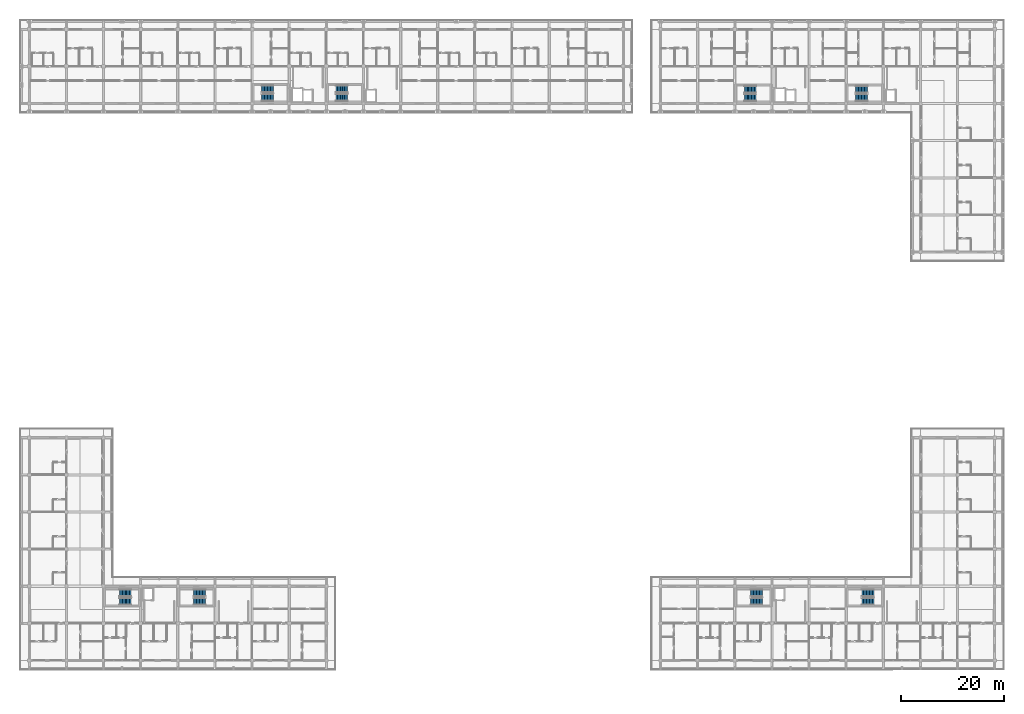
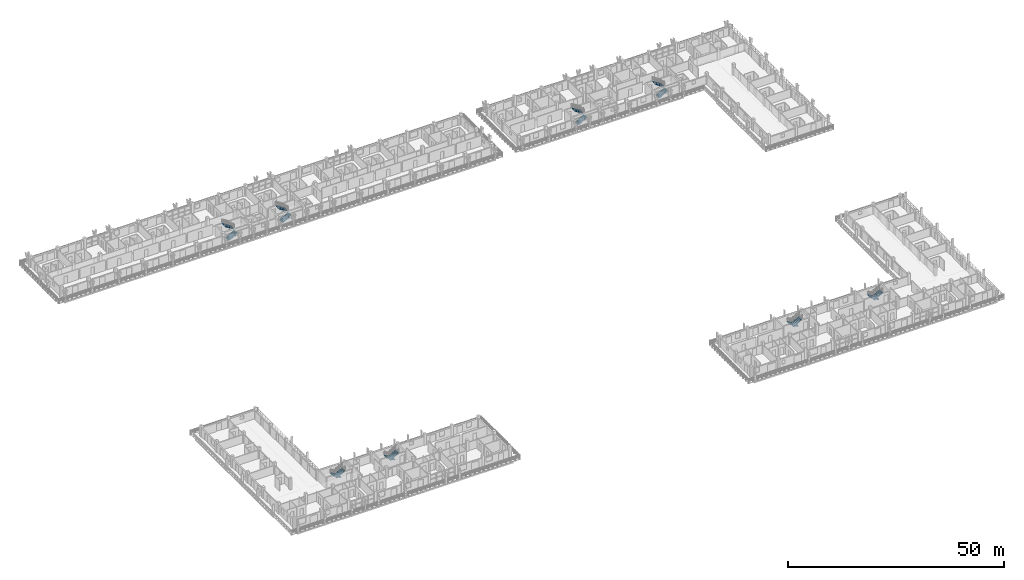
# One storey, part 61 of 76: 16 stair flights, 8 elements without a shape of their own.
"""IFC4 building model written with IfcOpenShell, lengths in metres."""

from ifc_helpers import new_model, si_unit, direction, frame, origin, place, context, subcontext, project, spatial, polyline, outline, extrude, material, type_object, element, aggregate, save


model = new_model("IFC4")

# Units and contexts
model_context = context("Model", 3, precision=1e-05, world=origin(), true_north=direction((0.0, 1.0)))
body_context = subcontext(model_context, "Body", "Model", "MODEL_VIEW")
ifc_project = project(units=[si_unit("LENGTHUNIT", "METRE"), si_unit("AREAUNIT", "SQUARE_METRE"), si_unit("VOLUMEUNIT", "CUBIC_METRE"), si_unit("PLANEANGLEUNIT", "RADIAN"), si_unit("MASSUNIT", "GRAM", prefix="KILO")], contexts=[model_context])

# Site, building, storey
site_placement = place(None, origin())
site = spatial("IfcSite", under=ifc_project, at=site_placement, CompositionType="ELEMENT")
building_placement = place(site_placement, origin())
building = spatial("IfcBuilding", under=site, at=building_placement, Name="Suanplinth Sawtooth Commons", CompositionType="ELEMENT")
storey_placement = place(building_placement, frame((0.0, 0.0, 12.199951171875)))
storey = spatial("IfcBuildingStorey", under=building, at=storey_placement, Name="L03", CompositionType="ELEMENT", Elevation=12.199951171875)

# Stair, stair flights
ifc_material = material(Name="Concrete C40/50", Category="concrete")
stair_type_1 = type_object("IfcStairType", Name="ST-03", PredefinedType="USERDEFINED", material=ifc_material)
stair_1_placement = place(storey_placement, origin())
stair_1 = element("IfcStair", 1, at=stair_1_placement, inside=storey, type_object=stair_type_1, Name="L03 Exit Stair ST-N1", ObjectType="TWO_RETURN_STAIR", PredefinedType="USERDEFINED")
stair_flight_type_1 = type_object("IfcStairFlightType", Name="SF-04", PredefinedType="STRAIGHT", material=ifc_material)
stair_flight_1_placement = place(storey_placement, frame((45.050048828125, 109.175048828125, 0.0), z_axis=(0.0, 0.0, 1.0), x_axis=(1.0, 0.0, 0.0)))
stair_flight_1 = element("IfcStairFlight", 2, at=stair_flight_1_placement, type_object=stair_flight_type_1, Name="ST-03 flight 1", NumberOfRisers=9, NumberOfTreads=8, PredefinedType="STRAIGHT", RiserHeight=0.177777778, TreadLength=0.285, context=body_context, shape_type="SweptSolid", body=[
    extrude(outline(polyline([(0.0, 0.0), (0.0, 0.177734375), (0.284912109375, 0.177734375), (0.284912109375, 0.35546875), (0.570068359375, 0.35546875), (0.570068359375, 0.533447265625), (0.85498046875, 0.533447265625), (0.85498046875, 0.711181640625), (1.139892578125, 0.711181640625), (1.139892578125, 0.888916015625), (1.425048828125, 0.888916015625), (1.425048828125, 1.066650390625), (1.7099609375, 1.066650390625), (1.7099609375, 1.244384765625), (1.9951171875, 1.244384765625), (1.9951171875, 1.422119140625), (2.280029296875, 1.422119140625), (2.280029296875, 1.60009765625), (2.280029296875, 1.233642578125), (0.30224609375, 0.0), (0.0, 0.0)])), frame((0.0, 0.72509765625, 0.0), z_axis=(0.0, -1.0, 0.0), x_axis=(1.0, 0.0, 0.0)), (0.0, 0.0, 1.0), 1.449951171875),
])
stair_flight_2_placement = place(storey_placement, frame((47.330078125, 110.824951171875, 1.60009765625), z_axis=(0.0, 0.0, 1.0), x_axis=(-1.0, 0.0, 0.0)))
stair_flight_2 = element("IfcStairFlight", 3, at=stair_flight_2_placement, type_object=stair_flight_type_1, Name="ST-03 flight 2", NumberOfRisers=9, NumberOfTreads=8, PredefinedType="STRAIGHT", RiserHeight=0.177777778, TreadLength=0.285, context=body_context, shape_type="SweptSolid", body=[
    extrude(outline(polyline([(0.0, 0.0), (0.0, 0.177734375), (0.284912109375, 0.177734375), (0.284912109375, 0.35546875), (0.570068359375, 0.35546875), (0.570068359375, 0.533447265625), (0.85498046875, 0.533447265625), (0.85498046875, 0.711181640625), (1.139892578125, 0.711181640625), (1.139892578125, 0.888916015625), (1.425048828125, 0.888916015625), (1.425048828125, 1.066650390625), (1.7099609375, 1.066650390625), (1.7099609375, 1.244384765625), (1.9951171875, 1.244384765625), (1.9951171875, 1.422119140625), (2.280029296875, 1.422119140625), (2.280029296875, 1.60009765625), (2.280029296875, 1.233642578125), (0.30224609375, 0.0), (0.0, 0.0)])), frame((0.0, 0.72509765625, 0.0), z_axis=(0.0, -1.0, 0.0), x_axis=(1.0, 0.0, 0.0)), (0.0, 0.0, 1.0), 1.449951171875),
])
aggregate(stair_1, [stair_flight_1, stair_flight_2])

stair_2_placement = place(storey_placement, origin())
stair_2 = element("IfcStair", 4, at=stair_2_placement, inside=storey, type_object=stair_type_1, Name="L03 Exit Stair ST-N2", ObjectType="TWO_RETURN_STAIR", PredefinedType="USERDEFINED")
stair_flight_3_placement = place(storey_placement, frame((59.449951171875, 109.175048828125, 0.0), z_axis=(0.0, 0.0, 1.0), x_axis=(1.0, 0.0, 0.0)))
stair_flight_3 = element("IfcStairFlight", 5, at=stair_flight_3_placement, type_object=stair_flight_type_1, Name="ST-03 flight 1", NumberOfRisers=9, NumberOfTreads=8, PredefinedType="STRAIGHT", RiserHeight=0.177777778, TreadLength=0.285, context=body_context, shape_type="SweptSolid", body=[
    extrude(outline(polyline([(0.0, 0.0), (0.0, 0.177734375), (0.284912109375, 0.177734375), (0.284912109375, 0.35546875), (0.570068359375, 0.35546875), (0.570068359375, 0.533447265625), (0.85498046875, 0.533447265625), (0.85498046875, 0.711181640625), (1.139892578125, 0.711181640625), (1.139892578125, 0.888916015625), (1.425048828125, 0.888916015625), (1.425048828125, 1.066650390625), (1.7099609375, 1.066650390625), (1.7099609375, 1.244384765625), (1.9951171875, 1.244384765625), (1.9951171875, 1.422119140625), (2.280029296875, 1.422119140625), (2.280029296875, 1.60009765625), (2.280029296875, 1.233642578125), (0.30224609375, 0.0), (0.0, 0.0)])), frame((0.0, 0.72509765625, 0.0), z_axis=(0.0, -1.0, 0.0), x_axis=(1.0, 0.0, 0.0)), (0.0, 0.0, 1.0), 1.449951171875),
])
stair_flight_4_placement = place(storey_placement, frame((61.72998046875, 110.824951171875, 1.60009765625), z_axis=(0.0, 0.0, 1.0), x_axis=(-1.0, 0.0, 0.0)))
stair_flight_4 = element("IfcStairFlight", 6, at=stair_flight_4_placement, type_object=stair_flight_type_1, Name="ST-03 flight 2", NumberOfRisers=9, NumberOfTreads=8, PredefinedType="STRAIGHT", RiserHeight=0.177777778, TreadLength=0.285, context=body_context, shape_type="SweptSolid", body=[
    extrude(outline(polyline([(0.0, 0.0), (0.0, 0.177734375), (0.284912109375, 0.177734375), (0.284912109375, 0.35546875), (0.570068359375, 0.35546875), (0.570068359375, 0.533447265625), (0.85498046875, 0.533447265625), (0.85498046875, 0.711181640625), (1.139892578125, 0.711181640625), (1.139892578125, 0.888916015625), (1.425048828125, 0.888916015625), (1.425048828125, 1.066650390625), (1.7099609375, 1.066650390625), (1.7099609375, 1.244384765625), (1.9951171875, 1.244384765625), (1.9951171875, 1.422119140625), (2.280029296875, 1.422119140625), (2.280029296875, 1.60009765625), (2.280029296875, 1.233642578125), (0.30224609375, 0.0), (0.0, 0.0)])), frame((0.0, 0.72509765625, 0.0), z_axis=(0.0, -1.0, 0.0), x_axis=(1.0, 0.0, 0.0)), (0.0, 0.0, 1.0), 1.449951171875),
])
aggregate(stair_2, [stair_flight_3, stair_flight_4])

stair_type_2 = type_object("IfcStairType", Name="ST-07", PredefinedType="USERDEFINED", material=ifc_material)
stair_3_placement = place(storey_placement, origin())
stair_3 = element("IfcStair", 7, at=stair_3_placement, inside=storey, type_object=stair_type_2, Name="L03 Exit Stair ST-E1", ObjectType="TWO_RETURN_STAIR", PredefinedType="USERDEFINED")
stair_flight_type_2 = type_object("IfcStairFlightType", Name="SF-08", PredefinedType="STRAIGHT", material=ifc_material)
stair_flight_5_placement = place(storey_placement, frame((138.64990234375, 109.14990234375, 0.0), z_axis=(0.0, 0.0, 1.0), x_axis=(1.0, 0.0, 0.0)))
stair_flight_5 = element("IfcStairFlight", 8, at=stair_flight_5_placement, type_object=stair_flight_type_2, Name="ST-07 flight 1", NumberOfRisers=9, NumberOfTreads=8, PredefinedType="STRAIGHT", RiserHeight=0.177777778, TreadLength=0.285, context=body_context, shape_type="SweptSolid", body=[
    extrude(outline(polyline([(0.0, 0.0), (0.0, 0.177734375), (0.284912109375, 0.177734375), (0.284912109375, 0.35546875), (0.570068359375, 0.35546875), (0.570068359375, 0.533447265625), (0.85498046875, 0.533447265625), (0.85498046875, 0.711181640625), (1.139892578125, 0.711181640625), (1.139892578125, 0.888916015625), (1.425048828125, 0.888916015625), (1.425048828125, 1.066650390625), (1.7099609375, 1.066650390625), (1.7099609375, 1.244384765625), (1.9951171875, 1.244384765625), (1.9951171875, 1.422119140625), (2.280029296875, 1.422119140625), (2.280029296875, 1.60009765625), (2.280029296875, 1.233642578125), (0.30224609375, 0.0), (0.0, 0.0)])), frame((0.0, 0.699951171875, 0.0), z_axis=(0.0, -1.0, 0.0), x_axis=(1.0, 0.0, 0.0)), (0.0, 0.0, 1.0), 1.39990234375),
])
stair_flight_6_placement = place(storey_placement, frame((140.929931640625, 110.75, 1.60009765625), z_axis=(0.0, 0.0, 1.0), x_axis=(-1.0, 0.0, 0.0)))
stair_flight_6 = element("IfcStairFlight", 9, at=stair_flight_6_placement, type_object=stair_flight_type_2, Name="ST-07 flight 2", NumberOfRisers=9, NumberOfTreads=8, PredefinedType="STRAIGHT", RiserHeight=0.177777778, TreadLength=0.285, context=body_context, shape_type="SweptSolid", body=[
    extrude(outline(polyline([(0.0, 0.0), (0.0, 0.177734375), (0.284912109375, 0.177734375), (0.284912109375, 0.35546875), (0.570068359375, 0.35546875), (0.570068359375, 0.533447265625), (0.85498046875, 0.533447265625), (0.85498046875, 0.711181640625), (1.139892578125, 0.711181640625), (1.139892578125, 0.888916015625), (1.425048828125, 0.888916015625), (1.425048828125, 1.066650390625), (1.7099609375, 1.066650390625), (1.7099609375, 1.244384765625), (1.9951171875, 1.244384765625), (1.9951171875, 1.422119140625), (2.280029296875, 1.422119140625), (2.280029296875, 1.60009765625), (2.280029296875, 1.233642578125), (0.30224609375, 0.0), (0.0, 0.0)])), frame((0.0, 0.699951171875, 0.0), z_axis=(0.0, -1.0, 0.0), x_axis=(1.0, 0.0, 0.0)), (0.0, 0.0, 1.0), 1.39990234375),
])
aggregate(stair_3, [stair_flight_5, stair_flight_6])

stair_4_placement = place(storey_placement, origin())
stair_4 = element("IfcStair", 10, at=stair_4_placement, inside=storey, type_object=stair_type_2, Name="L03 Exit Stair ST-E2", ObjectType="TWO_RETURN_STAIR", PredefinedType="USERDEFINED")
stair_flight_7_placement = place(storey_placement, frame((160.25, 109.14990234375, 0.0), z_axis=(0.0, 0.0, 1.0), x_axis=(1.0, 0.0, 0.0)))
stair_flight_7 = element("IfcStairFlight", 11, at=stair_flight_7_placement, type_object=stair_flight_type_2, Name="ST-07 flight 1", NumberOfRisers=9, NumberOfTreads=8, PredefinedType="STRAIGHT", RiserHeight=0.177777778, TreadLength=0.285, context=body_context, shape_type="SweptSolid", body=[
    extrude(outline(polyline([(0.0, 0.0), (0.0, 0.177734375), (0.284912109375, 0.177734375), (0.284912109375, 0.35546875), (0.570068359375, 0.35546875), (0.570068359375, 0.533447265625), (0.85498046875, 0.533447265625), (0.85498046875, 0.711181640625), (1.139892578125, 0.711181640625), (1.139892578125, 0.888916015625), (1.425048828125, 0.888916015625), (1.425048828125, 1.066650390625), (1.7099609375, 1.066650390625), (1.7099609375, 1.244384765625), (1.9951171875, 1.244384765625), (1.9951171875, 1.422119140625), (2.280029296875, 1.422119140625), (2.280029296875, 1.60009765625), (2.280029296875, 1.233642578125), (0.30224609375, 0.0), (0.0, 0.0)])), frame((0.0, 0.699951171875, 0.0), z_axis=(0.0, -1.0, 0.0), x_axis=(1.0, 0.0, 0.0)), (0.0, 0.0, 1.0), 1.39990234375),
])
stair_flight_8_placement = place(storey_placement, frame((162.530029296875, 110.75, 1.60009765625), z_axis=(0.0, 0.0, 1.0), x_axis=(-1.0, 0.0, 0.0)))
stair_flight_8 = element("IfcStairFlight", 12, at=stair_flight_8_placement, type_object=stair_flight_type_2, Name="ST-07 flight 2", NumberOfRisers=9, NumberOfTreads=8, PredefinedType="STRAIGHT", RiserHeight=0.177777778, TreadLength=0.285, context=body_context, shape_type="SweptSolid", body=[
    extrude(outline(polyline([(0.0, 0.0), (0.0, 0.177734375), (0.284912109375, 0.177734375), (0.284912109375, 0.35546875), (0.570068359375, 0.35546875), (0.570068359375, 0.533447265625), (0.85498046875, 0.533447265625), (0.85498046875, 0.711181640625), (1.139892578125, 0.711181640625), (1.139892578125, 0.888916015625), (1.425048828125, 0.888916015625), (1.425048828125, 1.066650390625), (1.7099609375, 1.066650390625), (1.7099609375, 1.244384765625), (1.9951171875, 1.244384765625), (1.9951171875, 1.422119140625), (2.280029296875, 1.422119140625), (2.280029296875, 1.60009765625), (2.280029296875, 1.233642578125), (0.30224609375, 0.0), (0.0, 0.0)])), frame((0.0, 0.699951171875, 0.0), z_axis=(0.0, -1.0, 0.0), x_axis=(1.0, 0.0, 0.0)), (0.0, 0.0, 1.0), 1.39990234375),
])
aggregate(stair_4, [stair_flight_7, stair_flight_8])

stair_5_placement = place(storey_placement, origin())
stair_5 = element("IfcStair", 13, at=stair_5_placement, inside=storey, type_object=stair_type_2, Name="L03 Exit Stair ST-S1", ObjectType="TWO_RETURN_STAIR", PredefinedType="USERDEFINED")
stair_flight_9_placement = place(storey_placement, frame((142.14990234375, 13.050048828125, 0.0), z_axis=(0.0, 0.0, 1.0), x_axis=(-1.0, 0.0, 0.0)))
stair_flight_9 = element("IfcStairFlight", 14, at=stair_flight_9_placement, type_object=stair_flight_type_2, Name="ST-07 flight 1", NumberOfRisers=9, NumberOfTreads=8, PredefinedType="STRAIGHT", RiserHeight=0.177777778, TreadLength=0.285, context=body_context, shape_type="SweptSolid", body=[
    extrude(outline(polyline([(0.0, 0.0), (0.0, 0.177734375), (0.284912109375, 0.177734375), (0.284912109375, 0.35546875), (0.570068359375, 0.35546875), (0.570068359375, 0.533447265625), (0.85498046875, 0.533447265625), (0.85498046875, 0.711181640625), (1.139892578125, 0.711181640625), (1.139892578125, 0.888916015625), (1.425048828125, 0.888916015625), (1.425048828125, 1.066650390625), (1.7099609375, 1.066650390625), (1.7099609375, 1.244384765625), (1.9951171875, 1.244384765625), (1.9951171875, 1.422119140625), (2.280029296875, 1.422119140625), (2.280029296875, 1.60009765625), (2.280029296875, 1.233642578125), (0.30224609375, 0.0), (0.0, 0.0)])), frame((0.0, 0.699951171875, 0.0), z_axis=(0.0, -1.0, 0.0), x_axis=(1.0, 0.0, 0.0)), (0.0, 0.0, 1.0), 1.39990234375),
])
stair_flight_10_placement = place(storey_placement, frame((139.8701171875, 11.449951171875, 1.60009765625), z_axis=(0.0, 0.0, 1.0), x_axis=(1.0, 0.0, 0.0)))
stair_flight_10 = element("IfcStairFlight", 15, at=stair_flight_10_placement, type_object=stair_flight_type_2, Name="ST-07 flight 2", NumberOfRisers=9, NumberOfTreads=8, PredefinedType="STRAIGHT", RiserHeight=0.177777778, TreadLength=0.285, context=body_context, shape_type="SweptSolid", body=[
    extrude(outline(polyline([(0.0, 0.0), (0.0, 0.177734375), (0.284912109375, 0.177734375), (0.284912109375, 0.35546875), (0.570068359375, 0.35546875), (0.570068359375, 0.533447265625), (0.85498046875, 0.533447265625), (0.85498046875, 0.711181640625), (1.139892578125, 0.711181640625), (1.139892578125, 0.888916015625), (1.425048828125, 0.888916015625), (1.425048828125, 1.066650390625), (1.7099609375, 1.066650390625), (1.7099609375, 1.244384765625), (1.9951171875, 1.244384765625), (1.9951171875, 1.422119140625), (2.280029296875, 1.422119140625), (2.280029296875, 1.60009765625), (2.280029296875, 1.233642578125), (0.30224609375, 0.0), (0.0, 0.0)])), frame((0.0, 0.699951171875, 0.0), z_axis=(0.0, -1.0, 0.0), x_axis=(1.0, 0.0, 0.0)), (0.0, 0.0, 1.0), 1.39990234375),
])
aggregate(stair_5, [stair_flight_9, stair_flight_10])

stair_6_placement = place(storey_placement, origin())
stair_6 = element("IfcStair", 16, at=stair_6_placement, inside=storey, type_object=stair_type_2, Name="L03 Exit Stair ST-S2", ObjectType="TWO_RETURN_STAIR", PredefinedType="USERDEFINED")
stair_flight_11_placement = place(storey_placement, frame((163.75, 13.050048828125, 0.0), z_axis=(0.0, 0.0, 1.0), x_axis=(-1.0, 0.0, 0.0)))
stair_flight_11 = element("IfcStairFlight", 17, at=stair_flight_11_placement, type_object=stair_flight_type_2, Name="ST-07 flight 1", NumberOfRisers=9, NumberOfTreads=8, PredefinedType="STRAIGHT", RiserHeight=0.177777778, TreadLength=0.285, context=body_context, shape_type="SweptSolid", body=[
    extrude(outline(polyline([(0.0, 0.0), (0.0, 0.177734375), (0.284912109375, 0.177734375), (0.284912109375, 0.35546875), (0.570068359375, 0.35546875), (0.570068359375, 0.533447265625), (0.85498046875, 0.533447265625), (0.85498046875, 0.711181640625), (1.139892578125, 0.711181640625), (1.139892578125, 0.888916015625), (1.425048828125, 0.888916015625), (1.425048828125, 1.066650390625), (1.7099609375, 1.066650390625), (1.7099609375, 1.244384765625), (1.9951171875, 1.244384765625), (1.9951171875, 1.422119140625), (2.280029296875, 1.422119140625), (2.280029296875, 1.60009765625), (2.280029296875, 1.233642578125), (0.30224609375, 0.0), (0.0, 0.0)])), frame((0.0, 0.699951171875, 0.0), z_axis=(0.0, -1.0, 0.0), x_axis=(1.0, 0.0, 0.0)), (0.0, 0.0, 1.0), 1.39990234375),
])
stair_flight_12_placement = place(storey_placement, frame((161.469970703125, 11.449951171875, 1.60009765625), z_axis=(0.0, 0.0, 1.0), x_axis=(1.0, 0.0, 0.0)))
stair_flight_12 = element("IfcStairFlight", 18, at=stair_flight_12_placement, type_object=stair_flight_type_2, Name="ST-07 flight 2", NumberOfRisers=9, NumberOfTreads=8, PredefinedType="STRAIGHT", RiserHeight=0.177777778, TreadLength=0.285, context=body_context, shape_type="SweptSolid", body=[
    extrude(outline(polyline([(0.0, 0.0), (0.0, 0.177734375), (0.284912109375, 0.177734375), (0.284912109375, 0.35546875), (0.570068359375, 0.35546875), (0.570068359375, 0.533447265625), (0.85498046875, 0.533447265625), (0.85498046875, 0.711181640625), (1.139892578125, 0.711181640625), (1.139892578125, 0.888916015625), (1.425048828125, 0.888916015625), (1.425048828125, 1.066650390625), (1.7099609375, 1.066650390625), (1.7099609375, 1.244384765625), (1.9951171875, 1.244384765625), (1.9951171875, 1.422119140625), (2.280029296875, 1.422119140625), (2.280029296875, 1.60009765625), (2.280029296875, 1.233642578125), (0.30224609375, 0.0), (0.0, 0.0)])), frame((0.0, 0.699951171875, 0.0), z_axis=(0.0, -1.0, 0.0), x_axis=(1.0, 0.0, 0.0)), (0.0, 0.0, 1.0), 1.39990234375),
])
aggregate(stair_6, [stair_flight_11, stair_flight_12])

stair_7_placement = place(storey_placement, origin())
stair_7 = element("IfcStair", 19, at=stair_7_placement, inside=storey, type_object=stair_type_2, Name="L03 Exit Stair ST-W1", ObjectType="TWO_RETURN_STAIR", PredefinedType="USERDEFINED")
stair_flight_13_placement = place(storey_placement, frame((19.75, 13.050048828125, 0.0), z_axis=(0.0, 0.0, 1.0), x_axis=(-1.0, 0.0, 0.0)))
stair_flight_13 = element("IfcStairFlight", 20, at=stair_flight_13_placement, type_object=stair_flight_type_2, Name="ST-07 flight 1", NumberOfRisers=9, NumberOfTreads=8, PredefinedType="STRAIGHT", RiserHeight=0.177777778, TreadLength=0.285, context=body_context, shape_type="SweptSolid", body=[
    extrude(outline(polyline([(0.0, 0.0), (0.0, 0.177734375), (0.284912109375, 0.177734375), (0.284912109375, 0.35546875), (0.570068359375, 0.35546875), (0.570068359375, 0.533447265625), (0.85498046875, 0.533447265625), (0.85498046875, 0.711181640625), (1.139892578125, 0.711181640625), (1.139892578125, 0.888916015625), (1.425048828125, 0.888916015625), (1.425048828125, 1.066650390625), (1.7099609375, 1.066650390625), (1.7099609375, 1.244384765625), (1.9951171875, 1.244384765625), (1.9951171875, 1.422119140625), (2.280029296875, 1.422119140625), (2.280029296875, 1.60009765625), (2.280029296875, 1.233642578125), (0.30224609375, 0.0), (0.0, 0.0)])), frame((0.0, 0.699951171875, 0.0), z_axis=(0.0, -1.0, 0.0), x_axis=(1.0, 0.0, 0.0)), (0.0, 0.0, 1.0), 1.39990234375),
])
stair_flight_14_placement = place(storey_placement, frame((17.469970703125, 11.449951171875, 1.60009765625), z_axis=(0.0, 0.0, 1.0), x_axis=(1.0, 0.0, 0.0)))
stair_flight_14 = element("IfcStairFlight", 21, at=stair_flight_14_placement, type_object=stair_flight_type_2, Name="ST-07 flight 2", NumberOfRisers=9, NumberOfTreads=8, PredefinedType="STRAIGHT", RiserHeight=0.177777778, TreadLength=0.285, context=body_context, shape_type="SweptSolid", body=[
    extrude(outline(polyline([(0.0, 0.0), (0.0, 0.177734375), (0.284912109375, 0.177734375), (0.284912109375, 0.35546875), (0.570068359375, 0.35546875), (0.570068359375, 0.533447265625), (0.85498046875, 0.533447265625), (0.85498046875, 0.711181640625), (1.139892578125, 0.711181640625), (1.139892578125, 0.888916015625), (1.425048828125, 0.888916015625), (1.425048828125, 1.066650390625), (1.7099609375, 1.066650390625), (1.7099609375, 1.244384765625), (1.9951171875, 1.244384765625), (1.9951171875, 1.422119140625), (2.280029296875, 1.422119140625), (2.280029296875, 1.60009765625), (2.280029296875, 1.233642578125), (0.30224609375, 0.0), (0.0, 0.0)])), frame((0.0, 0.699951171875, 0.0), z_axis=(0.0, -1.0, 0.0), x_axis=(1.0, 0.0, 0.0)), (0.0, 0.0, 1.0), 1.39990234375),
])
aggregate(stair_7, [stair_flight_13, stair_flight_14])

stair_8_placement = place(storey_placement, origin())
stair_8 = element("IfcStair", 22, at=stair_8_placement, inside=storey, type_object=stair_type_2, Name="L03 Exit Stair ST-W2", ObjectType="TWO_RETURN_STAIR", PredefinedType="USERDEFINED")
stair_flight_15_placement = place(storey_placement, frame((34.14990234375, 13.050048828125, 0.0), z_axis=(0.0, 0.0, 1.0), x_axis=(-1.0, 0.0, 0.0)))
stair_flight_15 = element("IfcStairFlight", 23, at=stair_flight_15_placement, type_object=stair_flight_type_2, Name="ST-07 flight 1", NumberOfRisers=9, NumberOfTreads=8, PredefinedType="STRAIGHT", RiserHeight=0.177777778, TreadLength=0.285, context=body_context, shape_type="SweptSolid", body=[
    extrude(outline(polyline([(0.0, 0.0), (0.0, 0.177734375), (0.284912109375, 0.177734375), (0.284912109375, 0.35546875), (0.570068359375, 0.35546875), (0.570068359375, 0.533447265625), (0.85498046875, 0.533447265625), (0.85498046875, 0.711181640625), (1.139892578125, 0.711181640625), (1.139892578125, 0.888916015625), (1.425048828125, 0.888916015625), (1.425048828125, 1.066650390625), (1.7099609375, 1.066650390625), (1.7099609375, 1.244384765625), (1.9951171875, 1.244384765625), (1.9951171875, 1.422119140625), (2.280029296875, 1.422119140625), (2.280029296875, 1.60009765625), (2.280029296875, 1.233642578125), (0.30224609375, 0.0), (0.0, 0.0)])), frame((0.0, 0.699951171875, 0.0), z_axis=(0.0, -1.0, 0.0), x_axis=(1.0, 0.0, 0.0)), (0.0, 0.0, 1.0), 1.39990234375),
])
stair_flight_16_placement = place(storey_placement, frame((31.8701171875, 11.449951171875, 1.60009765625), z_axis=(0.0, 0.0, 1.0), x_axis=(1.0, 0.0, 0.0)))
stair_flight_16 = element("IfcStairFlight", 24, at=stair_flight_16_placement, type_object=stair_flight_type_2, Name="ST-07 flight 2", NumberOfRisers=9, NumberOfTreads=8, PredefinedType="STRAIGHT", RiserHeight=0.177777778, TreadLength=0.285, context=body_context, shape_type="SweptSolid", body=[
    extrude(outline(polyline([(0.0, 0.0), (0.0, 0.177734375), (0.284912109375, 0.177734375), (0.284912109375, 0.35546875), (0.570068359375, 0.35546875), (0.570068359375, 0.533447265625), (0.85498046875, 0.533447265625), (0.85498046875, 0.711181640625), (1.139892578125, 0.711181640625), (1.139892578125, 0.888916015625), (1.425048828125, 0.888916015625), (1.425048828125, 1.066650390625), (1.7099609375, 1.066650390625), (1.7099609375, 1.244384765625), (1.9951171875, 1.244384765625), (1.9951171875, 1.422119140625), (2.280029296875, 1.422119140625), (2.280029296875, 1.60009765625), (2.280029296875, 1.233642578125), (0.30224609375, 0.0), (0.0, 0.0)])), frame((0.0, 0.699951171875, 0.0), z_axis=(0.0, -1.0, 0.0), x_axis=(1.0, 0.0, 0.0)), (0.0, 0.0, 1.0), 1.39990234375),
])
aggregate(stair_8, [stair_flight_15, stair_flight_16])

save(model, "model.ifc")
